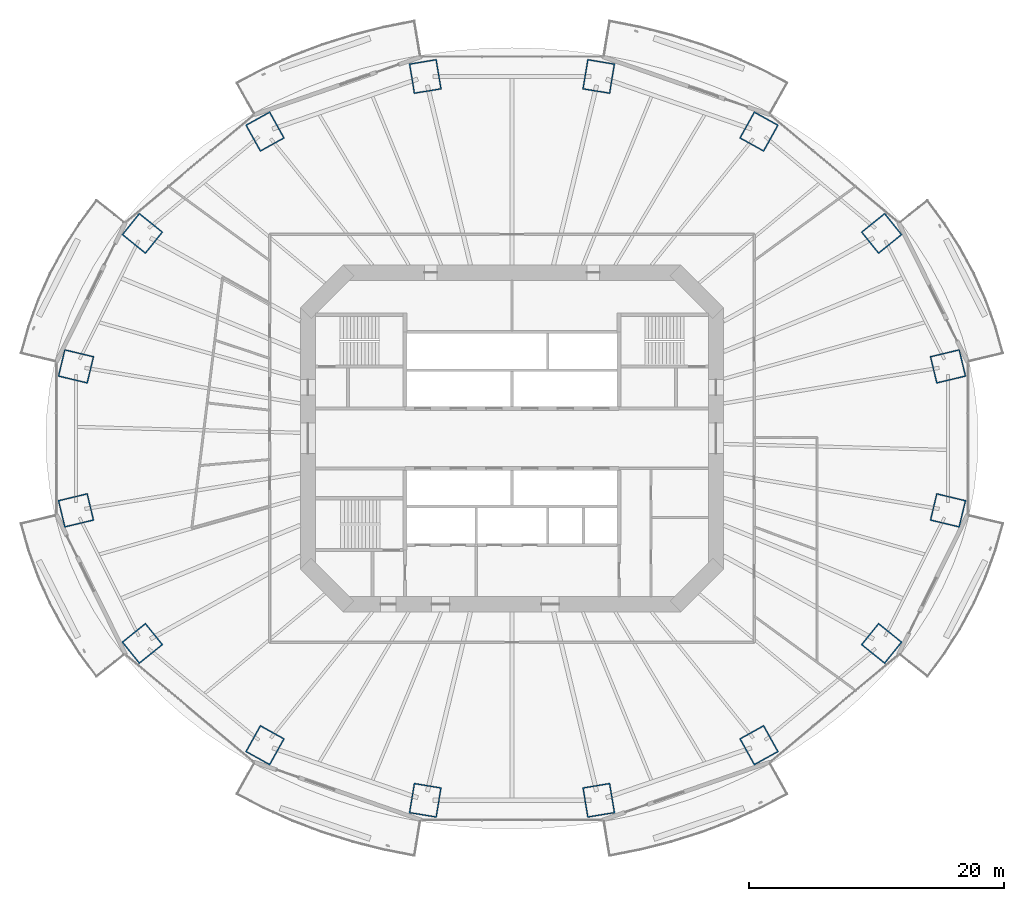
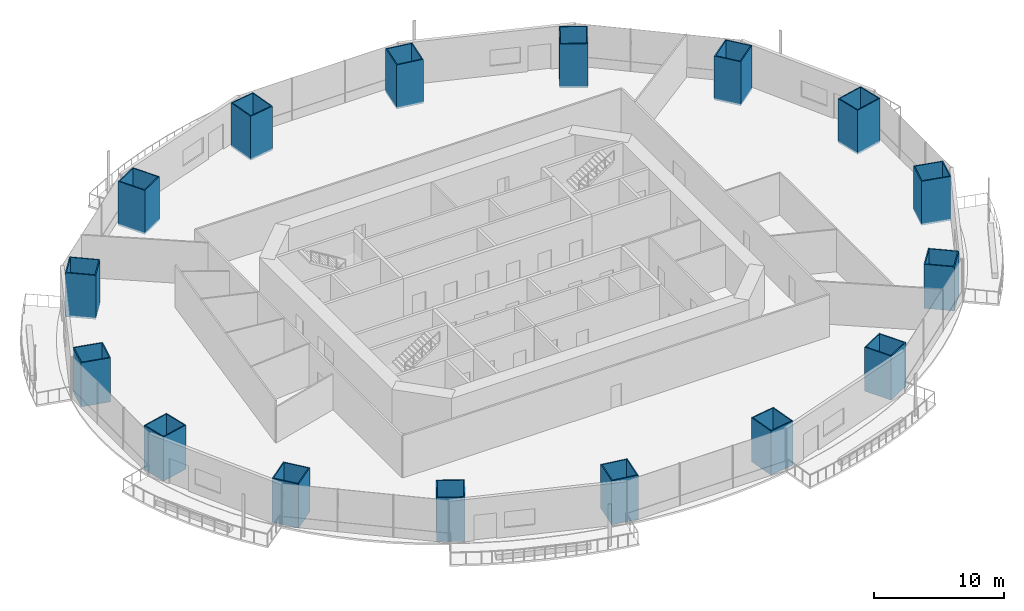
# One storey, part 1 of 23: 16 columns.
"""IFC4 building model written with IfcOpenShell, lengths in metres."""

from ifc_helpers import new_model, si_unit, direction, frame, origin, origin_2d, place, context, subcontext, project, spatial, rectangle, hollow_rectangle, extrude, material, material_profile, profile_set, type_object, element, save


model = new_model("IFC4")

# Units and contexts
model_context = context("Model", 3, precision=1e-05, world=origin(), true_north=direction((0.0, 1.0)))
body_context = subcontext(model_context, "Body", "Model", "MODEL_VIEW")
ifc_project = project(units=[si_unit("LENGTHUNIT", "METRE"), si_unit("AREAUNIT", "SQUARE_METRE"), si_unit("VOLUMEUNIT", "CUBIC_METRE"), si_unit("PLANEANGLEUNIT", "RADIAN"), si_unit("MASSUNIT", "GRAM", prefix="KILO")], contexts=[model_context])

# Site, building, storey
site_placement = place(None, origin())
site = spatial("IfcSite", under=ifc_project, at=site_placement, CompositionType="ELEMENT")
building_placement = place(site_placement, origin())
building = spatial("IfcBuilding", under=site, at=building_placement, Name="Marenthal Gate Tower", CompositionType="ELEMENT")
storey_placement = place(building_placement, frame((0.0, 0.0, 53.75)))
storey = spatial("IfcBuildingStorey", under=building, at=storey_placement, Name="L09", CompositionType="ELEMENT", Elevation=53.75)

# Columns
ifc_material_1 = material(Name="Steel S460", Category="steel")
ifc_material_profile_1 = material_profile(ifc_material_1, hollow_rectangle(XDim=2.199951171875, YDim=2.39990234375, WallThickness=0.090087890625, at=origin_2d()), Name="CFT BOX 2400X2200X90")
ifc_material_2 = material(Name="Concrete 70 MPa", Category="concrete")
ifc_material_profile_2 = material_profile(ifc_material_2, rectangle(XDim=2.02001953125, YDim=2.219970703125, at=origin_2d()), Name="CFT BOX 2400X2200X90 INFILL")
ifc_profile_set = profile_set([ifc_material_profile_1, ifc_material_profile_2], Name="Steel S460 shell, Concrete 70 MPa infill")
column_type = type_object("IfcColumnType", Name="CFT BOX 2400X2200X90", PredefinedType="COLUMN", material=ifc_profile_set)
for number, where, z_axis, x_axis, name in (
    (1, (34.188232421875, 5.64501953125, -0.179931640625), (0.0, 0.0, 1.0), (0.233032946196, -0.972468840625, 0.0), "COL-L09-01"),
    (2, (28.9833984375, 16.075439453125, -0.179931640625), (0.0, 0.0, 1.0), (0.627045775973, -0.778982409836, 0.0), "COL-L09-02"),
    (3, (19.3662109375, 24.05859375, -0.179931640625), (0.0, 0.0, 1.0), (0.874496140493, -0.48503247341, 0.0), "COL-L09-03"),
    (4, (6.800537109375, 28.37890625, -0.179931640625), (0.0, 0.0, 1.0), (0.986641341868, -0.162907527505, 0.0), "COL-L09-04"),
    (5, (-6.800537109375, 28.37890625, -0.179931640625), (0.0, 0.0, 1.0), (0.986641341868, 0.162907527505, 0.0), "COL-L09-05"),
    (6, (-19.3662109375, 24.05859375, -0.179931640625), (0.0, 0.0, 1.0), (0.874496140493, 0.48503247341, 0.0), "COL-L09-06"),
    (7, (-28.9833984375, 16.075439453125, -0.179931640625), (0.0, 0.0, 1.0), (0.627045775973, 0.778982409836, 0.0), "COL-L09-07"),
    (8, (-34.188232421875, 5.64501953125, -0.179931640625), (0.0, 0.0, 1.0), (0.233032946196, 0.972468840625, 0.0), "COL-L09-08"),
    (9, (-34.188232421875, -5.64501953125, -0.179931640625), (0.0, 0.0, 1.0), (-0.233032946196, 0.972468840625, 0.0), "COL-L09-09"),
    (10, (-28.9833984375, -16.075439453125, -0.179931640625), (0.0, 0.0, 1.0), (-0.627045775973, 0.778982409836, 0.0), "COL-L09-10"),
    (11, (-19.3662109375, -24.05859375, -0.179931640625), (0.0, 0.0, 1.0), (-0.874496140493, 0.48503247341, 0.0), "COL-L09-11"),
    (12, (-6.800537109375, -28.37890625, -0.179931640625), (0.0, 0.0, 1.0), (-0.986641341868, 0.162907527505, 0.0), "COL-L09-12"),
    (13, (6.800537109375, -28.37890625, -0.179931640625), (0.0, 0.0, 1.0), (-0.986641341868, -0.162907527505, 0.0), "COL-L09-13"),
    (14, (19.3662109375, -24.05859375, -0.179931640625), (0.0, 0.0, 1.0), (-0.874496140493, -0.48503247341, 0.0), "COL-L09-14"),
    (15, (28.9833984375, -16.075439453125, -0.179931640625), (0.0, 0.0, 1.0), (-0.627045775973, -0.778982409836, 0.0), "COL-L09-15"),
    (16, (34.188232421875, -5.64501953125, -0.179931640625), (0.0, 0.0, 1.0), (-0.233032946196, -0.972468840625, 0.0), "COL-L09-16"),
):
    element("IfcColumn", number, at=place(storey_placement, frame(where, z_axis=z_axis, x_axis=x_axis)), inside=storey, type_object=column_type, Name=name, PredefinedType="COLUMN", context=body_context, shape_type="SweptSolid", body=[
        extrude(hollow_rectangle(XDim=2.199951171875, YDim=2.39990234375, WallThickness=0.090087890625, at=origin_2d()), origin(), (0.0, 0.0, 1.0), 4.14990234375),
    ])

save(model, "model.ifc")
